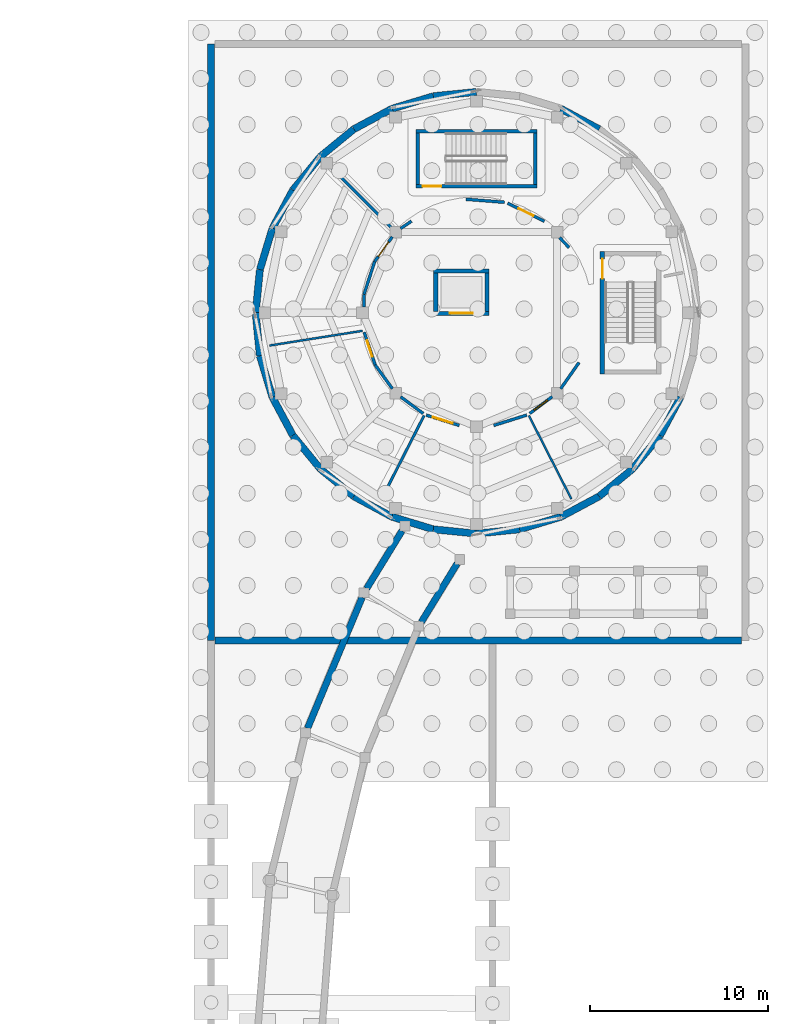
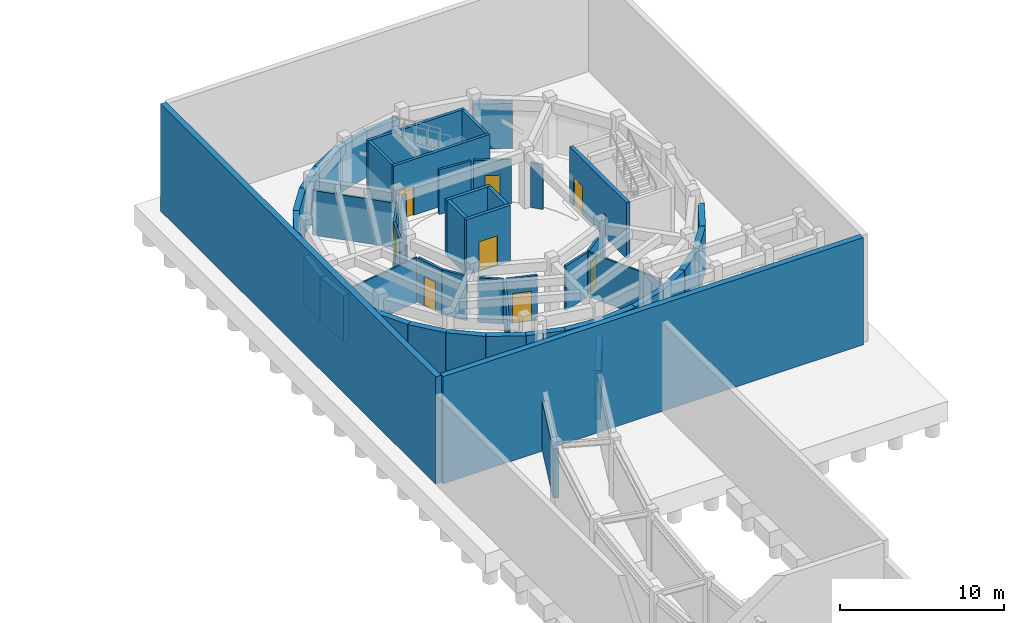
# One storey, part 46 of 57: 55 walls, 8 doors, 8 openings.
"""IFC4 building model written with IfcOpenShell, lengths in metres."""

from ifc_helpers import new_model, si_unit, direction, frame, frame_2d, origin, place, context, subcontext, project, spatial, rectangle, extrude, material, layer, layer_set, type_object, element, fill, save


model = new_model("IFC4")

# Units and contexts
model_context = context("Model", 3, precision=1e-05, world=origin(), true_north=direction((0.0, 1.0)))
body_context = subcontext(model_context, "Body", "Model", "MODEL_VIEW")
ifc_project = project(units=[si_unit("LENGTHUNIT", "METRE"), si_unit("AREAUNIT", "SQUARE_METRE"), si_unit("VOLUMEUNIT", "CUBIC_METRE"), si_unit("PLANEANGLEUNIT", "RADIAN"), si_unit("MASSUNIT", "GRAM", prefix="KILO")], contexts=[model_context])

# Site, building, storey
site_placement = place(None, origin())
site = spatial("IfcSite", under=ifc_project, at=site_placement, CompositionType="ELEMENT")
building_placement = place(site_placement, origin())
building = spatial("IfcBuilding", under=site, at=building_placement, Name="Aldenvaro Health Centre", CompositionType="ELEMENT")
storey_placement = place(building_placement, frame((0.0, 0.0, -4.550048828125)))
storey = spatial("IfcBuildingStorey", under=building, at=storey_placement, Name="B1", CompositionType="ELEMENT", Elevation=-4.550048828125)

# Walls
ifc_material_1 = material(Name="Gypsum Stud Acoustic Assembly")
ifc_layer_1 = layer(ifc_material_1, 0.14501953125, Name="Gypsum Stud Acoustic Assembly")
ifc_layer_set_1 = layer_set([ifc_layer_1], Name="Gypsum Stud Acoustic Assembly")
wall_type_1 = type_object("IfcWallType", Name="WL-CLN-145", PredefinedType="PARTITIONING", material=ifc_layer_set_1)
wall_1_placement = place(storey_placement, frame((149.916015625, 104.083984375, 0.0), z_axis=(0.0, 0.0, 1.0), x_axis=(-0.707106781187, 0.707106781187, 0.0)))
element("IfcWall", 1, at=wall_1_placement, inside=storey, type_object=wall_type_1, Name="D2 B1 clinical partition 3.1", PredefinedType="PARTITIONING", context=body_context, shape_type="SweptSolid", body=[
    extrude(rectangle(XDim=5.316162109375, YDim=0.14501953125, at=frame_2d((2.658203125, 0.0))), origin(), (0.0, 0.0, 1.0), 3.322998046875),
])
wall_2_placement = place(storey_placement, frame((151.556884765625, 93.72412109375, 0.0), z_axis=(0.0, 0.0, 1.0), x_axis=(-0.454011967175, -0.890995585658, 0.0)))
element("IfcWall", 2, at=wall_2_placement, inside=storey, type_object=wall_type_1, Name="D2 B1 clinical partition 5.1", PredefinedType="PARTITIONING", context=body_context, shape_type="SweptSolid", body=[
    extrude(rectangle(XDim=5.26171875, YDim=0.14501953125, at=frame_2d((2.630859375, 0.0))), origin(), (0.0, 0.0, 1.0), 3.322998046875),
])
ifc_layer_2 = layer(ifc_material_1, 0.1650390625, Name="Gypsum Stud Acoustic Assembly")
ifc_layer_set_2 = layer_set([ifc_layer_2], Name="Gypsum Stud Acoustic Assembly")
wall_type_2 = type_object("IfcWallType", Name="WL-COR-165", PredefinedType="PARTITIONING", material=ifc_layer_set_2)
wall_3_placement = place(storey_placement, frame((159.7041015625, 103.14990234375, 0.0), z_axis=(0.0, 0.0, 1.0), x_axis=(-0.681921292567, 0.73142556063, 0.0)))
element("IfcWall", 3, at=wall_3_placement, inside=storey, type_object=wall_type_2, Name="D2 B1 corridor wall 01.1", PredefinedType="PARTITIONING", context=body_context, shape_type="SweptSolid", body=[
    extrude(rectangle(XDim=0.7890625, YDim=0.1650390625, at=frame_2d((0.39453125, 0.0))), origin(), (0.0, 0.0, 1.0), 3.322998046875),
])

# Wall, opening, door
wall_4_placement = place(storey_placement, frame((158.31689453125, 104.636962890625, 0.0), z_axis=(0.0, 0.0, 1.0), x_axis=(-0.896911127032, 0.442210843609, 0.0)))
wall_4 = element("IfcWall", 4, at=wall_4_placement, inside=storey, type_object=wall_type_2, Name="D2 B1 corridor wall 01.2", PredefinedType="PARTITIONING", context=body_context, shape_type="SweptSolid", body=[
    extrude(rectangle(XDim=2.306640625, YDim=0.1650390625, at=frame_2d((1.1533203125, 0.0))), origin(), (0.0, 0.0, 1.0), 3.322998046875),
])
opening_1_placement = place(wall_4_placement, frame((0.68798828125, 0.0, 0.0)))
opening_1 = element("IfcOpeningElement", 5, at=opening_1_placement, cuts=wall_4, Name="Opening D-16", PredefinedType="OPENING", context=body_context, shape_type="SweptSolid", body=[
    extrude(rectangle(XDim=0.929931640625, YDim=2.179931640625, at=frame_2d((0.46484375, 1.08984375))), frame((0.0, 0.092529296875, 0.0), z_axis=(0.0, -1.0, 0.0), x_axis=(1.0, 0.0, 0.0)), (0.0, 0.0, 1.0), 0.18505859375),
])
ifc_material_2 = material(Name="Exam Suite Timber Door", Category="wood")
door_type_1 = type_object("IfcDoorType", Name="DR-CLN-16", OperationType="NOTDEFINED", PredefinedType="DOOR", material=ifc_material_2)
door_1_placement = place(opening_1_placement, origin())
door_1 = element("IfcDoor", 6, at=door_1_placement, inside=storey, type_object=door_type_1, Name="Sterile Instrument Packing Room Door", OperationType="SINGLE_SWING_LEFT", OverallHeight=2.179931640625, OverallWidth=0.929931640625, PredefinedType="DOOR", context=body_context, shape_type="SweptSolid", body=[
    extrude(rectangle(XDim=0.929931640625, YDim=2.179931640625, at=frame_2d((0.46484375, 1.08984375))), frame((0.0, 0.02490234375, 0.0), z_axis=(0.0, -1.0, 0.0), x_axis=(1.0, 0.0, 0.0)), (0.0, 0.0, 1.0), 0.050048828125),
])
fill(opening_1, door_1)

# Walls
wall_5_placement = place(storey_placement, frame((156.06494140625, 105.7060546875, 0.0), z_axis=(0.0, 0.0, 1.0), x_axis=(-0.997008442081, 0.077292731994, 0.0)))
element("IfcWall", 7, at=wall_5_placement, inside=storey, type_object=wall_type_2, Name="D2 B1 corridor wall 02.1", PredefinedType="PARTITIONING", context=body_context, shape_type="SweptSolid", body=[
    extrude(rectangle(XDim=2.160400390625, YDim=0.1650390625, at=frame_2d((1.080078125, 0.0))), origin(), (0.0, 0.0, 1.0), 3.322998046875),
])
wall_6_placement = place(storey_placement, frame((150.85009765625, 104.64599609375, 0.0), z_axis=(0.0, 0.0, 1.0), x_axis=(-0.824396202601, -0.566013163395, 0.0)))
element("IfcWall", 8, at=wall_6_placement, inside=storey, type_object=wall_type_2, Name="D2 B1 corridor wall 02.2", PredefinedType="PARTITIONING", context=body_context, shape_type="SweptSolid", body=[
    extrude(rectangle(XDim=0.74365234375, YDim=0.1650390625, at=frame_2d((0.371826171875, 0.0))), origin(), (0.0, 0.0, 1.0), 3.322998046875),
])

# Wall, opening, door
wall_7_placement = place(storey_placement, frame((149.77099609375, 103.76611328125, 0.0), z_axis=(0.0, 0.0, 1.0), x_axis=(-0.579597764365, -0.814902712932, 0.0)))
wall_7 = element("IfcWall", 9, at=wall_7_placement, inside=storey, type_object=wall_type_2, Name="D2 B1 corridor wall 03.1", PredefinedType="PARTITIONING", context=body_context, shape_type="SweptSolid", body=[
    extrude(rectangle(XDim=1.70458984375, YDim=0.1650390625, at=frame_2d((0.852294921875, 0.0))), origin(), (0.0, 0.0, 1.0), 3.322998046875),
])
opening_2_placement = place(wall_7_placement, frame((0.35693359375, 0.0, 0.0)))
opening_2 = element("IfcOpeningElement", 10, at=opening_2_placement, cuts=wall_7, Name="Opening D-18", PredefinedType="OPENING", context=body_context, shape_type="SweptSolid", body=[
    extrude(rectangle(XDim=0.989990234375, YDim=2.219970703125, at=frame_2d((0.4951171875, 1.10986328125))), frame((0.0, 0.092529296875, 0.0), z_axis=(0.0, -1.0, 0.0), x_axis=(1.0, 0.0, 0.0)), (0.0, 0.0, 1.0), 0.18505859375),
])
door_type_2 = type_object("IfcDoorType", Name="DR-CLN-18", OperationType="NOTDEFINED", PredefinedType="DOOR", material=ifc_material_2)
door_2_placement = place(opening_2_placement, origin())
door_2 = element("IfcDoor", 11, at=door_2_placement, inside=storey, type_object=door_type_2, Name="Autoclave Sterilizer Plant Door", OperationType="SINGLE_SWING_RIGHT", OverallHeight=2.219970703125, OverallWidth=0.989990234375, PredefinedType="DOOR", context=body_context, shape_type="SweptSolid", body=[
    extrude(rectangle(XDim=0.989990234375, YDim=2.219970703125, at=frame_2d((0.4951171875, 1.10986328125))), frame((0.0, 0.02490234375, 0.0), z_axis=(0.0, -1.0, 0.0), x_axis=(1.0, 0.0, 0.0)), (0.0, 0.0, 1.0), 0.050048828125),
])
fill(opening_2, door_2)

# Walls
wall_8_placement = place(storey_placement, frame((148.782958984375, 102.376953125, 0.0), z_axis=(0.0, 0.0, 1.0), x_axis=(-0.308741690047, -0.951145924045, 0.0)))
element("IfcWall", 12, at=wall_8_placement, inside=storey, type_object=wall_type_2, Name="D2 B1 corridor wall 03.2", PredefinedType="PARTITIONING", context=body_context, shape_type="SweptSolid", body=[
    extrude(rectangle(XDim=1.939697265625, YDim=0.1650390625, at=frame_2d((0.9697265625, 0.0))), origin(), (0.0, 0.0, 1.0), 3.322998046875),
])
wall_9_placement = place(storey_placement, frame((148.18408203125, 100.531982421875, 0.0), z_axis=(0.0, 0.0, 1.0), x_axis=(-0.009958297401, -0.999950414927, 0.0)))
element("IfcWall", 13, at=wall_9_placement, inside=storey, type_object=wall_type_2, Name="D2 B1 corridor wall 03.3", PredefinedType="PARTITIONING", context=body_context, shape_type="SweptSolid", body=[
    extrude(rectangle(XDim=0.7109375, YDim=0.1650390625, at=frame_2d((0.35546875, 0.0))), origin(), (0.0, 0.0, 1.0), 3.322998046875),
])

# Wall, opening, door
wall_10_placement = place(storey_placement, frame((148.194091796875, 98.405029296875, 0.0), z_axis=(0.0, 0.0, 1.0), x_axis=(0.318491919822, -0.947925575669, 0.0)))
wall_10 = element("IfcWall", 14, at=wall_10_placement, inside=storey, type_object=wall_type_2, Name="D2 B1 corridor wall 04.1", PredefinedType="PARTITIONING", context=body_context, shape_type="SweptSolid", body=[
    extrude(rectangle(XDim=1.940185546875, YDim=0.1650390625, at=frame_2d((0.97021484375, 0.0))), origin(), (0.0, 0.0, 1.0), 3.322998046875),
])
opening_3_placement = place(wall_10_placement, frame((0.4951171875, 0.0, 0.0)))
opening_3 = element("IfcOpeningElement", 15, at=opening_3_placement, cuts=wall_10, Name="Opening UD-02", PredefinedType="OPENING", context=body_context, shape_type="SweptSolid", body=[
    extrude(rectangle(XDim=0.949951171875, YDim=2.159912109375, at=frame_2d((0.47509765625, 1.080078125))), frame((0.0, 0.092529296875, 0.0), z_axis=(0.0, -1.0, 0.0), x_axis=(1.0, 0.0, 0.0)), (0.0, 0.0, 1.0), 0.18505859375),
])
ifc_material_3 = material(Name="Sterile Core Supply Door")
door_type_3 = type_object("IfcDoorType", Name="DR-STR-02", OperationType="NOTDEFINED", PredefinedType="DOOR", material=ifc_material_3)
door_3_placement = place(opening_3_placement, origin())
door_3 = element("IfcDoor", 16, at=door_3_placement, inside=storey, type_object=door_type_3, Name="Sterile Surgical Core Store Door", OperationType="SINGLE_SWING_LEFT", OverallHeight=2.159912109375, OverallWidth=0.949951171875, PredefinedType="DOOR", context=body_context, shape_type="SweptSolid", body=[
    extrude(rectangle(XDim=0.949951171875, YDim=2.159912109375, at=frame_2d((0.47509765625, 1.080078125))), frame((0.0, 0.02490234375, 0.0), z_axis=(0.0, -1.0, 0.0), x_axis=(1.0, 0.0, 0.0)), (0.0, 0.0, 1.0), 0.050048828125),
])
fill(opening_3, door_3)

# Walls
wall_11_placement = place(storey_placement, frame((148.81201171875, 96.56591796875, 0.0), z_axis=(0.0, 0.0, 1.0), x_axis=(0.587915215661, -0.80892255451, 0.0)))
element("IfcWall", 17, at=wall_11_placement, inside=storey, type_object=wall_type_2, Name="D2 B1 corridor wall 04.2", PredefinedType="PARTITIONING", context=body_context, shape_type="SweptSolid", body=[
    extrude(rectangle(XDim=1.6416015625, YDim=0.1650390625, at=frame_2d((0.82080078125, 0.0))), origin(), (0.0, 0.0, 1.0), 3.322998046875),
])
wall_12_placement = place(storey_placement, frame((150.241943359375, 94.781982421875, 0.0), z_axis=(0.0, 0.0, 1.0), x_axis=(0.803069387245, -0.595885525307, 0.0)))
element("IfcWall", 18, at=wall_12_placement, inside=storey, type_object=wall_type_2, Name="D2 B1 corridor wall 04.3", PredefinedType="PARTITIONING", context=body_context, shape_type="SweptSolid", body=[
    extrude(rectangle(XDim=1.5791015625, YDim=0.1650390625, at=frame_2d((0.78955078125, 0.0))), origin(), (0.0, 0.0, 1.0), 3.322998046875),
])

# Wall, opening, door
wall_13_placement = place(storey_placement, frame((151.678955078125, 93.7548828125, 0.0), z_axis=(0.0, 0.0, 1.0), x_axis=(0.95413450606, -0.29937826298, 0.0)))
wall_13 = element("IfcWall", 19, at=wall_13_placement, inside=storey, type_object=wall_type_2, Name="D2 B1 corridor wall 05.1", PredefinedType="PARTITIONING", context=body_context, shape_type="SweptSolid", body=[
    extrude(rectangle(XDim=1.93994140625, YDim=0.1650390625, at=frame_2d((0.969970703125, 0.0))), origin(), (0.0, 0.0, 1.0), 3.322998046875),
])
opening_4_placement = place(wall_13_placement, frame((0.3798828125, 0.0, 0.0)))
opening_4 = element("IfcOpeningElement", 20, at=opening_4_placement, cuts=wall_13, Name="Opening PD-01", PredefinedType="OPENING", context=body_context, shape_type="SweptSolid", body=[
    extrude(rectangle(XDim=1.179931640625, YDim=2.199951171875, at=frame_2d((0.58984375, 1.10009765625))), frame((0.0, 0.092529296875, 0.0), z_axis=(0.0, -1.0, 0.0), x_axis=(1.0, 0.0, 0.0)), (0.0, 0.0, 1.0), 0.18505859375),
])
ifc_material_4 = material(Name="Fire-Rated Louvred Plant Door")
door_type_4 = type_object("IfcDoorType", Name="DR-PLT-01", OperationType="NOTDEFINED", PredefinedType="DOOR", material=ifc_material_4)
door_4_placement = place(opening_4_placement, origin())
door_4 = element("IfcDoor", 21, at=door_4_placement, inside=storey, type_object=door_type_4, Name="Surgical AHU and HEPA Plant Room Door", OperationType="SINGLE_SWING_RIGHT", OverallHeight=2.199951171875, OverallWidth=1.179931640625, PredefinedType="DOOR", context=body_context, shape_type="SweptSolid", body=[
    extrude(rectangle(XDim=1.179931640625, YDim=2.199951171875, at=frame_2d((0.58984375, 1.10009765625))), frame((0.0, 0.02490234375, 0.0), z_axis=(0.0, -1.0, 0.0), x_axis=(1.0, 0.0, 0.0)), (0.0, 0.0, 1.0), 0.050048828125),
])
fill(opening_4, door_4)

# Wall
wall_14_placement = place(storey_placement, frame((155.469970703125, 93.174072265625, 0.0), z_axis=(0.0, 0.0, 1.0), x_axis=(0.95413450606, 0.29937826298, 0.0)))
element("IfcWall", 22, at=wall_14_placement, inside=storey, type_object=wall_type_2, Name="D2 B1 corridor wall 05.2", PredefinedType="PARTITIONING", context=body_context, shape_type="SweptSolid", body=[
    extrude(rectangle(XDim=1.93994140625, YDim=0.1650390625, at=frame_2d((0.969970703125, 0.0))), origin(), (0.0, 0.0, 1.0), 3.322998046875),
])

# Wall, opening, door
wall_15_placement = place(storey_placement, frame((157.489990234375, 93.841064453125, 0.0), z_axis=(0.0, 0.0, 1.0), x_axis=(0.799238619114, 0.60101383488, 0.0)))
wall_15 = element("IfcWall", 23, at=wall_15_placement, inside=storey, type_object=wall_type_2, Name="D2 B1 corridor wall 06.1", PredefinedType="PARTITIONING", context=body_context, shape_type="SweptSolid", body=[
    extrude(rectangle(XDim=1.578857421875, YDim=0.1650390625, at=frame_2d((0.78955078125, 0.0))), origin(), (0.0, 0.0, 1.0), 3.322998046875),
])
opening_5_placement = place(wall_15_placement, frame((0.31396484375, 0.0, 0.0)))
opening_5 = element("IfcOpeningElement", 24, at=opening_5_placement, cuts=wall_15, Name="Opening UD-02", PredefinedType="OPENING", context=body_context, shape_type="SweptSolid", body=[
    extrude(rectangle(XDim=0.949951171875, YDim=2.159912109375, at=frame_2d((0.47509765625, 1.080078125))), frame((0.0, 0.092529296875, 0.0), z_axis=(0.0, -1.0, 0.0), x_axis=(1.0, 0.0, 0.0)), (0.0, 0.0, 1.0), 0.18505859375),
])
door_5_placement = place(opening_5_placement, origin())
door_5 = element("IfcDoor", 25, at=door_5_placement, inside=storey, type_object=door_type_3, Name="Soiled Utility Hold Door", OperationType="SINGLE_SWING_LEFT", OverallHeight=2.159912109375, OverallWidth=0.949951171875, PredefinedType="DOOR", context=body_context, shape_type="SweptSolid", body=[
    extrude(rectangle(XDim=0.949951171875, YDim=2.159912109375, at=frame_2d((0.47509765625, 1.080078125))), frame((0.0, 0.02490234375, 0.0), z_axis=(0.0, -1.0, 0.0), x_axis=(1.0, 0.0, 0.0)), (0.0, 0.0, 1.0), 0.050048828125),
])
fill(opening_5, door_5)

# Walls
wall_16_placement = place(storey_placement, frame((159.22900390625, 95.23388671875, 0.0), z_axis=(0.0, 0.0, 1.0), x_axis=(0.572879511522, 0.819639594747, 0.0)))
element("IfcWall", 26, at=wall_16_placement, inside=storey, type_object=wall_type_2, Name="D2 B1 corridor wall 06.2", PredefinedType="PARTITIONING", context=body_context, shape_type="SweptSolid", body=[
    extrude(rectangle(XDim=1.7998046875, YDim=0.1650390625, at=frame_2d((0.89990234375, 0.0))), origin(), (0.0, 0.0, 1.0), 3.322998046875),
])
ifc_material_5 = material(Name="Concrete f'c 40 MPa", Category="concrete")
ifc_layer_3 = layer(ifc_material_5, 0.3701171875, Name="Concrete f'c 40 MPa", Category="concrete")
ifc_layer_set_3 = layer_set([ifc_layer_3], Name="Concrete f'c 40 MPa")
wall_type_3 = type_object("IfcWallType", Name="WL-RET-370", PredefinedType="USERDEFINED", material=ifc_layer_set_3)
wall_17_placement = place(storey_placement, frame((153.4140625, 85.4150390625, 0.0), z_axis=(0.0, 0.0, 1.0), x_axis=(-0.52227983791, -0.852774161729, 0.0)))
element("IfcWall", 27, at=wall_17_placement, inside=storey, type_object=wall_type_3, Name="East Curved Garden Colonnade Arc 1 B1 retaining wall L.1", ObjectType="RETAININGWALL", PredefinedType="USERDEFINED", context=body_context, shape_type="SweptSolid", body=[
    extrude(rectangle(XDim=3.8544921875, YDim=0.3701171875, at=frame_2d((1.92724609375, 0.0))), origin(), (0.0, 0.0, 1.0), 3.64501953125),
])
wall_18_placement = place(storey_placement, frame((150.321044921875, 87.258056640625, 0.0), z_axis=(0.0, 0.0, 1.0), x_axis=(-0.522419272324, -0.852688749723, 0.0)))
element("IfcWall", 28, at=wall_18_placement, inside=storey, type_object=wall_type_3, Name="East Curved Garden Colonnade Arc 1 B1 retaining wall R.1", ObjectType="RETAININGWALL", PredefinedType="USERDEFINED", context=body_context, shape_type="SweptSolid", body=[
    extrude(rectangle(XDim=3.80908203125, YDim=0.3701171875, at=frame_2d((1.904541015625, 0.0))), origin(), (0.0, 0.0, 1.0), 3.64501953125),
])
wall_19_placement = place(storey_placement, frame((148.0810546875, 83.52197265625, 0.0), z_axis=(0.0, 0.0, 1.0), x_axis=(-0.38495031573, -0.922937297122, 0.0)))
element("IfcWall", 29, at=wall_19_placement, inside=storey, type_object=wall_type_3, Name="East Curved Garden Colonnade Arc 2 B1 retaining wall R.1", ObjectType="RETAININGWALL", PredefinedType="USERDEFINED", context=body_context, shape_type="SweptSolid", body=[
    extrude(rectangle(XDim=7.97021484375, YDim=0.3701171875, at=frame_2d((3.985107421875, 0.0))), origin(), (0.0, 0.0, 1.0), 3.64501953125),
])
ifc_layer_4 = layer(ifc_material_5, 0.39990234375, Name="Concrete f'c 40 MPa", Category="concrete")
ifc_layer_set_4 = layer_set([ifc_layer_4], Name="Concrete f'c 40 MPa")
wall_type_4 = type_object("IfcWallType", Name="WL-RET-400", PredefinedType="USERDEFINED", material=ifc_layer_set_4)
for number, where, z_axis, x_axis, name in (
    (30, (165.9560546875, 94.7548828125, 0.0), (0.0, 0.0, 1.0), (-0.471432490996, -0.881902152415, 0.0), "D2 B1 hillside retaining wall 03"),
    (31, (164.81005859375, 92.611083984375, 0.0), (0.0, 0.0, 1.0), (-0.634347392822, -0.773048113134, 0.0), "D2 B1 hillside retaining wall 04"),
    (32, (163.26806640625, 90.73193359375, 0.0), (0.0, 0.0, 1.0), (-0.773048113134, -0.634347392822, 0.0), "D2 B1 hillside retaining wall 05"),
    (33, (161.388916015625, 89.18994140625, 0.0), (0.0, 0.0, 1.0), (-0.881902152415, -0.471432490996, 0.0), "D2 B1 hillside retaining wall 06"),
    (34, (159.2451171875, 88.0439453125, 0.0), (0.0, 0.0, 1.0), (-0.956892539407, -0.290442193951, 0.0), "D2 B1 hillside retaining wall 07"),
):
    element("IfcWall", number, at=place(storey_placement, frame(where, z_axis=z_axis, x_axis=x_axis)), inside=storey, type_object=wall_type_4, Name=name, ObjectType="RETAININGWALL", PredefinedType="USERDEFINED", context=body_context, shape_type="SweptSolid", body=[
        extrude(rectangle(XDim=2.430908203125, YDim=0.39990234375, at=frame_2d((1.21533203125, 0.0))), origin(), (0.0, 0.0, 1.0), 3.34814453125),
    ])
for number, where, z_axis, x_axis, name in (
    (35, (156.9189453125, 87.337890625, 0.0), (0.0, 0.0, 1.0), (-0.995202863323, -0.097832820839, 0.0), "D2 B1 hillside retaining wall 08"),
    (36, (154.5, 87.10009765625, 0.0), (0.0, 0.0, 1.0), (-0.995202863323, 0.097832820839, 0.0), "D2 B1 hillside retaining wall 09"),
):
    element("IfcWall", number, at=place(storey_placement, frame(where, z_axis=z_axis, x_axis=x_axis)), inside=storey, type_object=wall_type_4, Name=name, ObjectType="RETAININGWALL", PredefinedType="USERDEFINED", context=body_context, shape_type="SweptSolid", body=[
        extrude(rectangle(XDim=2.4306640625, YDim=0.39990234375, at=frame_2d((1.21533203125, 0.0))), origin(), (0.0, 0.0, 1.0), 3.34814453125),
    ])
for number, where, z_axis, x_axis, name in (
    (37, (152.0810546875, 87.337890625, 0.0), (0.0, 0.0, 1.0), (-0.956892539407, 0.290442193951, 0.0), "D2 B1 hillside retaining wall 10"),
    (38, (149.7548828125, 88.0439453125, 0.0), (0.0, 0.0, 1.0), (-0.881902152415, 0.471432490996, 0.0), "D2 B1 hillside retaining wall 11"),
    (39, (147.611083984375, 89.18994140625, 0.0), (0.0, 0.0, 1.0), (-0.773048113134, 0.634347392822, 0.0), "D2 B1 hillside retaining wall 12"),
    (40, (145.73193359375, 90.73193359375, 0.0), (0.0, 0.0, 1.0), (-0.634347392822, 0.773048113134, 0.0), "D2 B1 hillside retaining wall 13"),
    (41, (144.18994140625, 92.611083984375, 0.0), (0.0, 0.0, 1.0), (-0.471432490996, 0.881902152415, 0.0), "D2 B1 hillside retaining wall 14"),
    (42, (143.0439453125, 94.7548828125, 0.0), (0.0, 0.0, 1.0), (-0.290442193951, 0.956892539407, 0.0), "D2 B1 hillside retaining wall 15"),
):
    element("IfcWall", number, at=place(storey_placement, frame(where, z_axis=z_axis, x_axis=x_axis)), inside=storey, type_object=wall_type_4, Name=name, ObjectType="RETAININGWALL", PredefinedType="USERDEFINED", context=body_context, shape_type="SweptSolid", body=[
        extrude(rectangle(XDim=2.430908203125, YDim=0.39990234375, at=frame_2d((1.21533203125, 0.0))), origin(), (0.0, 0.0, 1.0), 3.34814453125),
    ])
for number, where, z_axis, x_axis, name in (
    (43, (142.337890625, 97.0810546875, 0.0), (0.0, 0.0, 1.0), (-0.097832820839, 0.995202863323, 0.0), "D2 B1 hillside retaining wall 16"),
    (44, (142.10009765625, 99.5, 0.0), (0.0, 0.0, 1.0), (0.097832820839, 0.995202863323, 0.0), "D2 B1 hillside retaining wall 17"),
):
    element("IfcWall", number, at=place(storey_placement, frame(where, z_axis=z_axis, x_axis=x_axis)), inside=storey, type_object=wall_type_4, Name=name, ObjectType="RETAININGWALL", PredefinedType="USERDEFINED", context=body_context, shape_type="SweptSolid", body=[
        extrude(rectangle(XDim=2.4306640625, YDim=0.39990234375, at=frame_2d((1.21533203125, 0.0))), origin(), (0.0, 0.0, 1.0), 3.34814453125),
    ])
for number, where, z_axis, x_axis, name in (
    (45, (142.337890625, 101.9189453125, 0.0), (0.0, 0.0, 1.0), (0.290442193951, 0.956892539407, 0.0), "D2 B1 hillside retaining wall 18"),
    (46, (143.0439453125, 104.2451171875, 0.0), (0.0, 0.0, 1.0), (0.471432490996, 0.881902152415, 0.0), "D2 B1 hillside retaining wall 19"),
    (47, (144.18994140625, 106.388916015625, 0.0), (0.0, 0.0, 1.0), (0.634347392822, 0.773048113134, 0.0), "D2 B1 hillside retaining wall 20"),
    (48, (145.73193359375, 108.26806640625, 0.0), (0.0, 0.0, 1.0), (0.773048113134, 0.634347392822, 0.0), "D2 B1 hillside retaining wall 21"),
    (49, (147.611083984375, 109.81005859375, 0.0), (0.0, 0.0, 1.0), (0.881902152415, 0.471432490996, 0.0), "D2 B1 hillside retaining wall 22"),
    (50, (149.7548828125, 110.9560546875, 0.0), (0.0, 0.0, 1.0), (0.956892539407, 0.290442193951, 0.0), "D2 B1 hillside retaining wall 23"),
):
    element("IfcWall", number, at=place(storey_placement, frame(where, z_axis=z_axis, x_axis=x_axis)), inside=storey, type_object=wall_type_4, Name=name, ObjectType="RETAININGWALL", PredefinedType="USERDEFINED", context=body_context, shape_type="SweptSolid", body=[
        extrude(rectangle(XDim=2.430908203125, YDim=0.39990234375, at=frame_2d((1.21533203125, 0.0))), origin(), (0.0, 0.0, 1.0), 3.34814453125),
    ])
wall_20_placement = place(storey_placement, frame((152.0810546875, 111.662109375, 0.0), z_axis=(0.0, 0.0, 1.0), x_axis=(0.995202863323, 0.097832820839, 0.0)))
element("IfcWall", 51, at=wall_20_placement, inside=storey, type_object=wall_type_4, Name="D2 B1 hillside retaining wall 24", ObjectType="RETAININGWALL", PredefinedType="USERDEFINED", context=body_context, shape_type="SweptSolid", body=[
    extrude(rectangle(XDim=2.4306640625, YDim=0.39990234375, at=frame_2d((1.21533203125, 0.0))), origin(), (0.0, 0.0, 1.0), 3.34814453125),
])
wall_21_placement = place(storey_placement, frame((159.2451171875, 110.9560546875, 0.0), z_axis=(0.0, 0.0, 1.0), x_axis=(0.881902152415, -0.471432490996, 0.0)))
element("IfcWall", 52, at=wall_21_placement, inside=storey, type_object=wall_type_4, Name="D2 B1 hillside retaining wall 27", ObjectType="RETAININGWALL", PredefinedType="USERDEFINED", context=body_context, shape_type="SweptSolid", body=[
    extrude(rectangle(XDim=2.430908203125, YDim=0.39990234375, at=frame_2d((1.21533203125, 0.0))), origin(), (0.0, 0.0, 1.0), 3.34814453125),
])
wall_22_placement = place(storey_placement, frame((139.60009765625, 81.10009765625, 0.0), z_axis=(0.0, 0.0, 1.0), x_axis=(0.0, 1.0, 0.0)))
element("IfcWall", 53, at=wall_22_placement, inside=storey, type_object=wall_type_4, Name="Stepped Foothill Retaining Wall T4N-IE-00", ObjectType="RETAININGWALL", PredefinedType="USERDEFINED", context=body_context, shape_type="SweptSolid", body=[
    extrude(rectangle(XDim=33.5, YDim=0.39990234375, at=frame_2d((16.75, 0.0))), origin(), (0.0, 0.0, 1.0), 7.97998046875),
])
wall_23_placement = place(storey_placement, frame((139.823974609375, 81.10009765625, 0.0), z_axis=(0.0, 0.0, 1.0), x_axis=(1.0, 0.0, 0.0)))
element("IfcWall", 54, at=wall_23_placement, inside=storey, type_object=wall_type_4, Name="Stepped Foothill Retaining Wall T4N-JSE-00", ObjectType="RETAININGWALL", PredefinedType="USERDEFINED", context=body_context, shape_type="SweptSolid", body=[
    extrude(rectangle(XDim=29.552001953125, YDim=0.39990234375, at=frame_2d((14.77587890625, 0.0))), origin(), (0.0, 0.0, 1.0), 7.97998046875),
])

# Wall, opening, door
ifc_layer_5 = layer(ifc_material_5, 0.199951171875, Name="Concrete f'c 40 MPa", Category="concrete")
ifc_layer_set_5 = layer_set([ifc_layer_5], Name="Concrete f'c 40 MPa")
wall_type_5 = type_object("IfcWallType", Name="WL-SHAFT-200", PredefinedType="SHEAR", material=ifc_layer_set_5)
wall_24_placement = place(storey_placement, frame((151.10009765625, 106.60009765625, 0.0), z_axis=(0.0, 0.0, 1.0), x_axis=(1.0, 0.0, 0.0)))
wall_24 = element("IfcWall", 55, at=wall_24_placement, inside=storey, type_object=wall_type_5, Name="ST-04 B1 inner core wall", PredefinedType="SHEAR", context=body_context, shape_type="SweptSolid", body=[
    extrude(rectangle(XDim=6.7998046875, YDim=0.199951171875, at=frame_2d((3.39990234375, 0.0))), origin(), (0.0, 0.0, 1.0), 4.14794921875),
])
opening_6_placement = place(wall_24_placement, frame((0.3798828125, 0.0, 0.0)))
opening_6 = element("IfcOpeningElement", 56, at=opening_6_placement, cuts=wall_24, Name="Opening FD-02", PredefinedType="OPENING", context=body_context, shape_type="SweptSolid", body=[
    extrude(rectangle(XDim=1.050048828125, YDim=2.14990234375, at=frame_2d((0.52490234375, 1.074951171875))), frame((0.0, 0.10986328125, 0.0), z_axis=(0.0, -1.0, 0.0), x_axis=(1.0, 0.0, 0.0)), (0.0, 0.0, 1.0), 0.219970703125),
])
ifc_material_6 = material(Name="Fire-Rated Steel Door Assembly", Category="steel")
door_type_5 = type_object("IfcDoorType", Name="DR-STAIR-105", OperationType="NOTDEFINED", PredefinedType="DOOR", material=ifc_material_6)
door_6_placement = place(opening_6_placement, origin())
door_6 = element("IfcDoor", 57, at=door_6_placement, inside=storey, type_object=door_type_5, Name="ST-04 B1 fire stair door", OperationType="SINGLE_SWING_RIGHT", OverallHeight=2.14990234375, OverallWidth=1.050048828125, PredefinedType="DOOR", context=body_context, shape_type="SweptSolid", body=[
    extrude(rectangle(XDim=1.050048828125, YDim=2.14990234375, at=frame_2d((0.52490234375, 1.074951171875))), frame((0.0, 0.02490234375, 0.0), z_axis=(0.0, -1.0, 0.0), x_axis=(1.0, 0.0, 0.0)), (0.0, 0.0, 1.0), 0.050048828125),
])
fill(opening_6, door_6)

# Walls
wall_25_placement = place(storey_placement, frame((151.10009765625, 109.699951171875, 0.0), z_axis=(0.0, 0.0, 1.0), x_axis=(1.0, 0.0, 0.0)))
element("IfcWall", 58, at=wall_25_placement, inside=storey, type_object=wall_type_5, Name="ST-04 B1 far core wall", PredefinedType="SHEAR", context=body_context, shape_type="SweptSolid", body=[
    extrude(rectangle(XDim=6.7998046875, YDim=0.199951171875, at=frame_2d((3.39990234375, 0.0))), origin(), (0.0, 0.0, 1.0), 4.14794921875),
])
for number, where, z_axis, x_axis, name in (
    (59, (151.199951171875, 106.699951171875, 0.0), (0.0, 0.0, 1.0), (0.0, 1.0, 0.0), "ST-04 B1 side core wall L"),
    (60, (157.800048828125, 106.699951171875, 0.0), (0.0, 0.0, 1.0), (0.0, 1.0, 0.0), "ST-04 B1 side core wall R"),
):
    element("IfcWall", number, at=place(storey_placement, frame(where, z_axis=z_axis, x_axis=x_axis)), inside=storey, type_object=wall_type_5, Name=name, PredefinedType="SHEAR", context=body_context, shape_type="SweptSolid", body=[
        extrude(rectangle(XDim=2.900146484375, YDim=0.199951171875, at=frame_2d((1.4501953125, 0.0))), origin(), (0.0, 0.0, 1.0), 4.14794921875),
    ])

# Wall, opening, door
ifc_layer_6 = layer(ifc_material_5, 0.22509765625, Name="Concrete f'c 40 MPa", Category="concrete")
ifc_layer_set_6 = layer_set([ifc_layer_6], Name="Concrete f'c 40 MPa")
wall_type_6 = type_object("IfcWallType", Name="WL-SHAFT-225", PredefinedType="SHEAR", material=ifc_layer_set_6)
wall_26_placement = place(storey_placement, frame((152.10009765625, 99.462890625, 0.0), z_axis=(0.0, 0.0, 1.0), x_axis=(1.0, 0.0, 0.0)))
wall_26 = element("IfcWall", 61, at=wall_26_placement, inside=storey, type_object=wall_type_6, Name="LF-02 B1 lift shaft front wall", PredefinedType="SHEAR", context=body_context, shape_type="SweptSolid", body=[
    extrude(rectangle(XDim=3.099853515625, YDim=0.22509765625, at=frame_2d((1.5498046875, 0.0))), origin(), (0.0, 0.0, 1.0), 4.14794921875),
])
opening_7_placement = place(wall_26_placement, frame((0.89990234375, 0.0, 0.0)))
opening_7 = element("IfcOpeningElement", 62, at=opening_7_placement, cuts=wall_26, Name="Opening LD-02", PredefinedType="OPENING", context=body_context, shape_type="SweptSolid", body=[
    extrude(rectangle(XDim=1.300048828125, YDim=2.199951171875, at=frame_2d((0.64990234375, 1.10009765625))), frame((0.0, 0.12255859375, 0.0), z_axis=(0.0, -1.0, 0.0), x_axis=(1.0, 0.0, 0.0)), (0.0, 0.0, 1.0), 0.2451171875),
])
ifc_material_7 = material(Name="Stainless Steel Stretcher Landing Door", Category="steel")
door_type_6 = type_object("IfcDoorType", Name="DR-LIFT-130", OperationType="DOUBLE_DOOR_SLIDING", PredefinedType="DOOR", material=ifc_material_7)
door_7_placement = place(opening_7_placement, origin())
door_7 = element("IfcDoor", 63, at=door_7_placement, inside=storey, type_object=door_type_6, Name="Lift LF-02 B1 Sliding Landing Door", OperationType="DOUBLE_DOOR_SLIDING", OverallHeight=2.199951171875, OverallWidth=1.300048828125, PredefinedType="DOOR", context=body_context, shape_type="SweptSolid", body=[
    extrude(rectangle(XDim=1.300048828125, YDim=2.199951171875, at=frame_2d((0.64990234375, 1.10009765625))), frame((0.0, 0.02490234375, 0.0), z_axis=(0.0, -1.0, 0.0), x_axis=(1.0, 0.0, 0.0)), (0.0, 0.0, 1.0), 0.050048828125),
])
fill(opening_7, door_7)

# Walls
wall_27_placement = place(storey_placement, frame((152.10009765625, 101.837890625, 0.0), z_axis=(0.0, 0.0, 1.0), x_axis=(1.0, 0.0, 0.0)))
element("IfcWall", 64, at=wall_27_placement, inside=storey, type_object=wall_type_6, Name="LF-02 B1 lift shaft rear wall", PredefinedType="SHEAR", context=body_context, shape_type="SweptSolid", body=[
    extrude(rectangle(XDim=3.099853515625, YDim=0.22509765625, at=frame_2d((1.5498046875, 0.0))), origin(), (0.0, 0.0, 1.0), 4.14794921875),
])
for number, where, z_axis, x_axis, name in (
    (65, (152.212890625, 99.574951171875, 0.0), (0.0, 0.0, 1.0), (0.0, 1.0, 0.0), "LF-02 B1 lift shaft side wall L"),
    (66, (155.087890625, 99.574951171875, 0.0), (0.0, 0.0, 1.0), (0.0, 1.0, 0.0), "LF-02 B1 lift shaft side wall R"),
):
    element("IfcWall", number, at=place(storey_placement, frame(where, z_axis=z_axis, x_axis=x_axis)), inside=storey, type_object=wall_type_6, Name=name, PredefinedType="SHEAR", context=body_context, shape_type="SweptSolid", body=[
        extrude(rectangle(XDim=2.150146484375, YDim=0.22509765625, at=frame_2d((1.0751953125, 0.0))), origin(), (0.0, 0.0, 1.0), 4.14794921875),
    ])

# Wall, opening, door
ifc_layer_7 = layer(ifc_material_5, 0.25, Name="Concrete f'c 40 MPa", Category="concrete")
ifc_layer_set_7 = layer_set([ifc_layer_7], Name="Concrete f'c 40 MPa")
wall_type_7 = type_object("IfcWallType", Name="WL-SHAFT-250", PredefinedType="SHEAR", material=ifc_layer_set_7)
wall_28_placement = place(storey_placement, frame((161.574951171875, 102.949951171875, 0.0), z_axis=(0.0, 0.0, 1.0), x_axis=(0.0, -1.0, 0.0)))
wall_28 = element("IfcWall", 67, at=wall_28_placement, inside=storey, type_object=wall_type_7, Name="ST-03 B1 inner core wall", PredefinedType="SHEAR", context=body_context, shape_type="SweptSolid", body=[
    extrude(rectangle(XDim=6.89990234375, YDim=0.25, at=frame_2d((3.449951171875, 0.0))), origin(), (0.0, 0.0, 1.0), 4.14794921875),
])
opening_8_placement = place(wall_28_placement, frame((0.429931640625, 0.0, 0.0)))
opening_8 = element("IfcOpeningElement", 68, at=opening_8_placement, cuts=wall_28, Name="Opening FD-01", PredefinedType="OPENING", context=body_context, shape_type="SweptSolid", body=[
    extrude(rectangle(XDim=1.10009765625, YDim=2.14990234375, at=frame_2d((0.550048828125, 1.074951171875))), frame((0.0, 0.135009765625, 0.0), z_axis=(0.0, -1.0, 0.0), x_axis=(1.0, 0.0, 0.0)), (0.0, 0.0, 1.0), 0.27001953125),
])
door_type_7 = type_object("IfcDoorType", Name="DR-STAIR-110", OperationType="NOTDEFINED", PredefinedType="DOOR", material=ifc_material_6)
door_8_placement = place(opening_8_placement, origin())
door_8 = element("IfcDoor", 69, at=door_8_placement, inside=storey, type_object=door_type_7, Name="ST-03 B1 fire stair door", OperationType="SINGLE_SWING_LEFT", OverallHeight=2.14990234375, OverallWidth=1.10009765625, PredefinedType="DOOR", context=body_context, shape_type="SweptSolid", body=[
    extrude(rectangle(XDim=1.10009765625, YDim=2.14990234375, at=frame_2d((0.550048828125, 1.074951171875))), frame((0.0, 0.02490234375, 0.0), z_axis=(0.0, -1.0, 0.0), x_axis=(1.0, 0.0, 0.0)), (0.0, 0.0, 1.0), 0.050048828125),
])
fill(opening_8, door_8)

# Walls
ifc_material_8 = material(Name="Light Gauge Steel Stud Partition", Category="steel")
ifc_layer_8 = layer(ifc_material_8, 0.114990234375, Name="Light Gauge Steel Stud Partition", Category="steel")
ifc_layer_set_8 = layer_set([ifc_layer_8], Name="Light Gauge Steel Stud Partition")
wall_type_8 = type_object("IfcWallType", Name="WL-SUB-115", PredefinedType="PARTITIONING", material=ifc_layer_set_8)
wall_29_placement = place(storey_placement, frame((148.096923828125, 98.486083984375, 0.0), z_axis=(0.0, 0.0, 1.0), x_axis=(-0.98768185006, -0.156475439167, 0.0)))
element("IfcWall", 70, at=wall_29_placement, inside=storey, type_object=wall_type_8, Name="D2 B1 clinical partition 4.1", PredefinedType="PARTITIONING", context=body_context, shape_type="SweptSolid", body=[
    extrude(rectangle(XDim=5.27978515625, YDim=0.114990234375, at=frame_2d((2.639892578125, 0.0))), origin(), (0.0, 0.0, 1.0), 3.322998046875),
])
wall_30_placement = place(storey_placement, frame((157.443115234375, 93.72412109375, 0.0), z_axis=(0.0, 0.0, 1.0), x_axis=(0.454011967175, -0.890995585658, 0.0)))
element("IfcWall", 71, at=wall_30_placement, inside=storey, type_object=wall_type_8, Name="D2 B1 clinical partition 6.1", PredefinedType="PARTITIONING", context=body_context, shape_type="SweptSolid", body=[
    extrude(rectangle(XDim=5.26171875, YDim=0.114990234375, at=frame_2d((2.630859375, 0.0))), origin(), (0.0, 0.0, 1.0), 3.322998046875),
])

save(model, "model.ifc")
